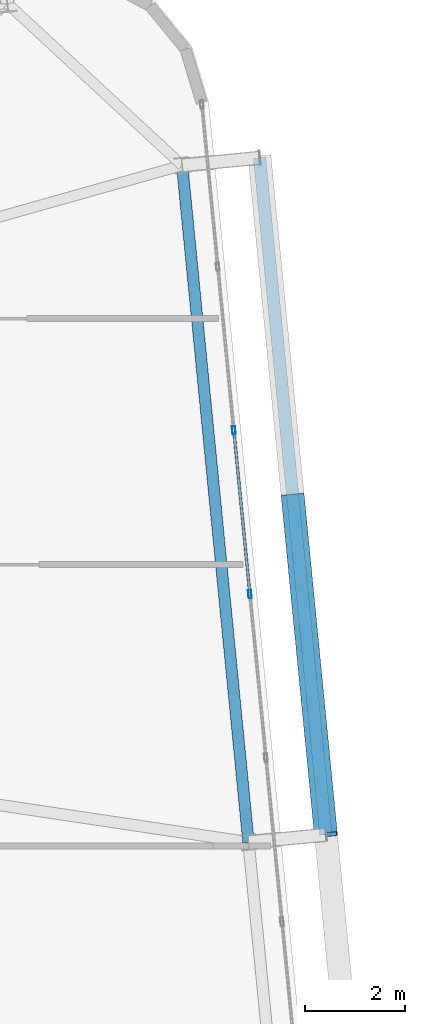
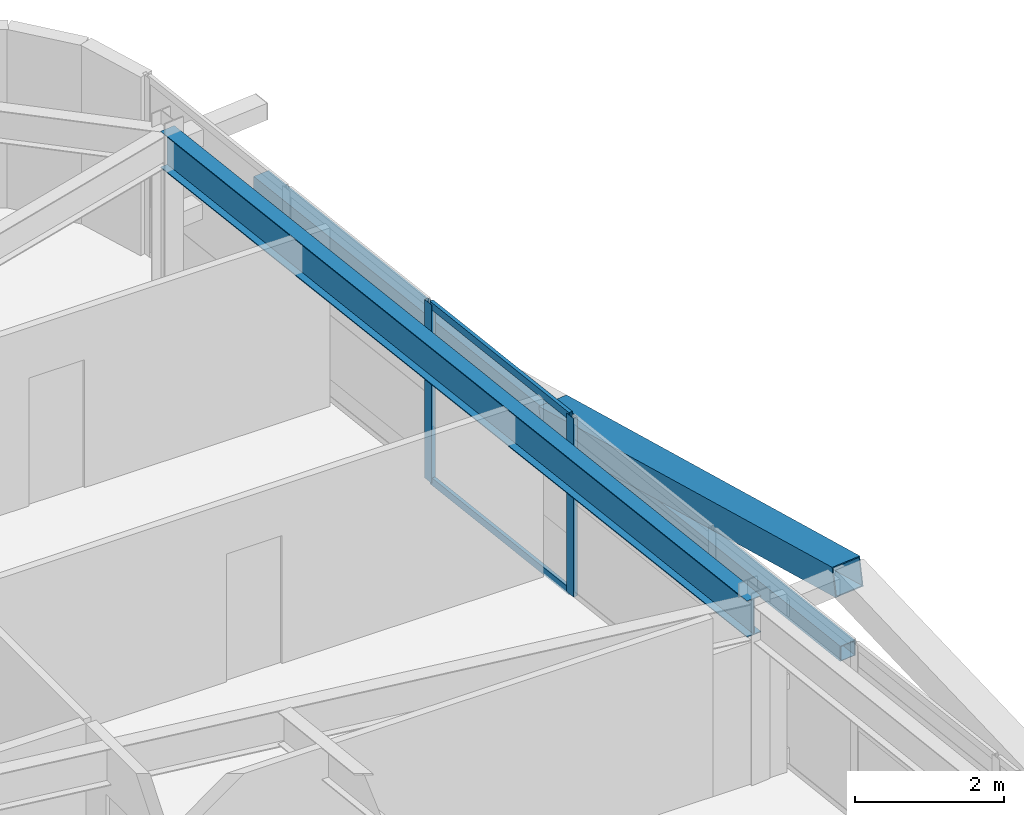
# One storey, part 26 of 53: 6 members, 1 beam, 1 element without a shape of its own.
"""IFC4 building model written with IfcOpenShell, lengths in metres."""

from ifc_helpers import new_model, si_unit, direction, frame, origin, origin_2d, place, context, subcontext, project, spatial, hollow_rectangle, i_section, extrude, source, transform, mapped, material, layer, layer_set, material_profile, profile_set, type_object, element, aggregate, save


model = new_model("IFC4")

# Units and contexts
model_context = context("Model", 3, precision=1e-05, world=origin(), true_north=direction((0.0, 1.0)))
body_context = subcontext(model_context, "Body", "Model", "MODEL_VIEW")
ifc_project = project(units=[si_unit("LENGTHUNIT", "METRE"), si_unit("AREAUNIT", "SQUARE_METRE"), si_unit("VOLUMEUNIT", "CUBIC_METRE"), si_unit("PLANEANGLEUNIT", "RADIAN"), si_unit("MASSUNIT", "GRAM", prefix="KILO")], contexts=[model_context])

# Site, building, storey
site_placement = place(None, origin())
site = spatial("IfcSite", under=ifc_project, at=site_placement, CompositionType="ELEMENT")
building_placement = place(site_placement, origin())
building = spatial("IfcBuilding", under=site, at=building_placement, Name="Taldren Reach Tower", CompositionType="ELEMENT")
storey_placement = place(building_placement, frame((0.0, 0.0, 68.25)))
storey = spatial("IfcBuildingStorey", under=building, at=storey_placement, Name="L20", CompositionType="ELEMENT", Elevation=68.25)

# Beam
ifc_material_1 = material(Name="Steel Gr 350 (350PLUS)", Category="steel")
ifc_material_profile_1 = material_profile(ifc_material_1, i_section(OverallWidth=0.22802734375, OverallDepth=0.60205078125, WebThickness=0.010498046875, FlangeThickness=0.014892578125, at=origin_2d()), Name="610UB101")
ifc_profile_set_1 = profile_set([ifc_material_profile_1], Name="Steel Gr 350 (350PLUS)")
beam_type = type_object("IfcBeamType", Name="BM-UB610B", PredefinedType="BEAM", material=ifc_profile_set_1)
shared_shape_1 = source(origin(), body_context, "Body", "SweptSolid", [
    extrude(i_section(OverallWidth=0.22802734375, OverallDepth=0.60205078125, WebThickness=0.010498046875, FlangeThickness=0.014892578125, at=origin_2d()), origin(), (0.0, 0.0, 1.0), 13.550048828125),
])
beam_placement = place(storey_placement, frame((64.569580078125, 21.968994140625, 2.62890625), z_axis=(-0.097584021339, 0.995227290009, 0.0), x_axis=(-0.995227290009, -0.097584021339, 0.0)))
element("IfcBeam", 1, at=beam_placement, inside=storey, type_object=beam_type, Name="Perimeter gable girder B2 E2-E3 L20", PredefinedType="BEAM", context=body_context, shape_type="MappedRepresentation", body=[
    mapped(shared_shape_1, transform((0.0, 0.0, 0.0), scale=1.0)),
])

# Members
ifc_material_2 = material(Name="Steel Gr 450 (C450L0)", Category="steel")
ifc_material_profile_2 = material_profile(ifc_material_2, hollow_rectangle(XDim=0.4599609375, YDim=0.4599609375, WallThickness=0.01611328125, at=origin_2d()), Name="460x460x16.0SHS")
ifc_profile_set_2 = profile_set([ifc_material_profile_2], Name="Steel Gr 450 (C450L0)")
member_type_1 = type_object("IfcMemberType", Name="MB-EXO457", PredefinedType="BRACE", material=ifc_profile_set_2)
shared_shape_2 = source(origin(), body_context, "Body", "SweptSolid", [
    extrude(hollow_rectangle(XDim=0.4599609375, YDim=0.4599609375, WallThickness=0.01611328125, at=origin_2d()), origin(), (0.0, 0.0, 1.0), 6.883056640625),
])
member_1_placement = place(storey_placement, frame((65.450927734375, 28.86279296875, 1.43505859375), z_axis=(0.096052059581, -0.979603316657, 0.176497432967), x_axis=(0.995227290009, 0.097584021339, 0.0)))
element("IfcMember", 2, at=member_1_placement, inside=storey, type_object=member_type_1, Name="Exoskeleton Diagrid Brace B2-E2 L20", PredefinedType="BRACE", context=body_context, shape_type="MappedRepresentation", body=[
    mapped(shared_shape_2, transform((0.0, 0.0, 0.0), scale=1.0)),
])
ifc_material_3 = material(Name="Steel Gr 350 (C350L0)", Category="steel")
ifc_material_profile_3 = material_profile(ifc_material_3, hollow_rectangle(XDim=0.25, YDim=0.25, WallThickness=0.010009765625, at=origin_2d()), Name="250x250x10.0SHS")
ifc_profile_set_3 = profile_set([ifc_material_profile_3], Name="Steel Gr 350 (C350L0)")
member_type_2 = type_object("IfcMemberType", Name="MB-POST250", PredefinedType="POST", material=ifc_profile_set_3)
shared_shape_3 = source(origin(), body_context, "Body", "SweptSolid", [
    extrude(hollow_rectangle(XDim=0.25, YDim=0.25, WallThickness=0.010009765625, at=origin_2d()), origin(), (0.0, 0.0, 1.0), 13.550048828125),
])
member_2_placement = place(storey_placement, frame((66.112060546875, 22.1201171875, 1.43505859375), z_axis=(-0.097584021339, 0.995227290009, 0.0), x_axis=(-0.995227290009, -0.097584021339, 0.0)))
element("IfcMember", 3, at=member_2_placement, inside=storey, type_object=member_type_2, Name="Exoskeleton mid-height ring chord B2-E2 L20", PredefinedType="POST", context=body_context, shape_type="MappedRepresentation", body=[
    mapped(shared_shape_3, transform((0.0, 0.0, 0.0), scale=1.0)),
])

# Curtain wall, members
ifc_material_4 = material(Name="Aluminium and Low-E Glass Unitised System", Category="aluminium")
ifc_layer = layer(ifc_material_4, 0.159912109375)
ifc_layer_set = layer_set([ifc_layer], Name="Aluminium and Low-E Glass Unitised System")
curtain_wall_type = type_object("IfcCurtainWallType", Name="CW-SYS-3", PredefinedType="NOTDEFINED", material=ifc_layer_set)
curtain_wall_placement = place(storey_placement, origin())
curtain_wall = element("IfcCurtainWall", 4, at=curtain_wall_placement, inside=storey, type_object=curtain_wall_type, Name="Unitised curtain wall CW-L20-E", PredefinedType="NOTDEFINED")
ifc_material_5 = material(Name="Anodised Aluminium 6063-T6", Category="aluminium")
ifc_material_profile_4 = material_profile(ifc_material_5, hollow_rectangle(XDim=0.06494140625, YDim=0.1650390625, WallThickness=0.00390625, at=origin_2d()), Name="ALU-165x65x4RHS")
ifc_profile_set_4 = profile_set([ifc_material_profile_4], Name="Anodised Aluminium 6063-T6")
member_type_3 = type_object("IfcMemberType", Name="CW-MUL-165", PredefinedType="MULLION", material=ifc_profile_set_4)
shared_shape_4 = source(origin(), body_context, "Body", "SweptSolid", [
    extrude(hollow_rectangle(XDim=0.06494140625, YDim=0.1650390625, WallThickness=0.00390625, at=origin_2d()), origin(), (0.0, 0.0, 1.0), 2.929931640625),
])
member_3_placement = place(storey_placement, frame((64.59716796875, 26.911865234375, 0.0), z_axis=(0.0, 0.0, 1.0), x_axis=(-0.99522741555, -0.09758274098, 0.0)))
member_3 = element("IfcMember", 5, at=member_3_placement, type_object=member_type_3, Name="CW-3 mullion 7", PredefinedType="MULLION", context=body_context, shape_type="MappedRepresentation", body=[
    mapped(shared_shape_4, transform((0.0, 0.0, 0.0), scale=1.0)),
])
member_4_placement = place(storey_placement, frame((64.27734375, 30.174072265625, 0.0), z_axis=(0.0, 0.0, 1.0), x_axis=(-0.99522741555, -0.09758274098, 0.0)))
member_4 = element("IfcMember", 6, at=member_4_placement, type_object=member_type_3, Name="CW-3 mullion 8", PredefinedType="MULLION", context=body_context, shape_type="MappedRepresentation", body=[
    mapped(shared_shape_4, transform((0.0, 0.0, 0.0), scale=1.0)),
])
ifc_material_profile_5 = material_profile(ifc_material_5, hollow_rectangle(XDim=0.054931640625, YDim=0.1201171875, WallThickness=0.0029296875, at=origin_2d()), Name="ALU-120x55x3RHS")
ifc_profile_set_5 = profile_set([ifc_material_profile_5], Name="Anodised Aluminium 6063-T6")
member_type_4 = type_object("IfcMemberType", Name="CW-TRN-135", PredefinedType="USERDEFINED", material=ifc_profile_set_5)
shared_shape_5 = source(origin(), body_context, "Body", "SweptSolid", [
    extrude(hollow_rectangle(XDim=0.054931640625, YDim=0.1201171875, WallThickness=0.0029296875, at=origin_2d()), origin(), (0.0, 0.0, 1.0), 3.212890625),
])
member_5_placement = place(storey_placement, frame((64.593994140625, 26.944091796875, 0.027587890625), z_axis=(-0.097569948235, 0.995228669805, 0.0), x_axis=(-0.995228669805, -0.097569948235, 0.0)))
member_5 = element("IfcMember", 7, at=member_5_placement, type_object=member_type_4, Name="CW-3 transom 7.1", ObjectType="TRANSOM", PredefinedType="USERDEFINED", context=body_context, shape_type="MappedRepresentation", body=[
    mapped(shared_shape_5, transform((0.0, 0.0, 0.0), scale=1.0)),
])
member_6_placement = place(storey_placement, frame((64.593994140625, 26.944091796875, 2.902587890625), z_axis=(-0.097569948235, 0.995228669805, 0.0), x_axis=(-0.995228669805, -0.097569948235, 0.0)))
member_6 = element("IfcMember", 8, at=member_6_placement, type_object=member_type_4, Name="CW-3 transom 7.2", ObjectType="TRANSOM", PredefinedType="USERDEFINED", context=body_context, shape_type="MappedRepresentation", body=[
    mapped(shared_shape_5, transform((0.0, 0.0, 0.0), scale=1.0)),
])
aggregate(curtain_wall, [member_3, member_4, member_5, member_6])

save(model, "model.ifc")
